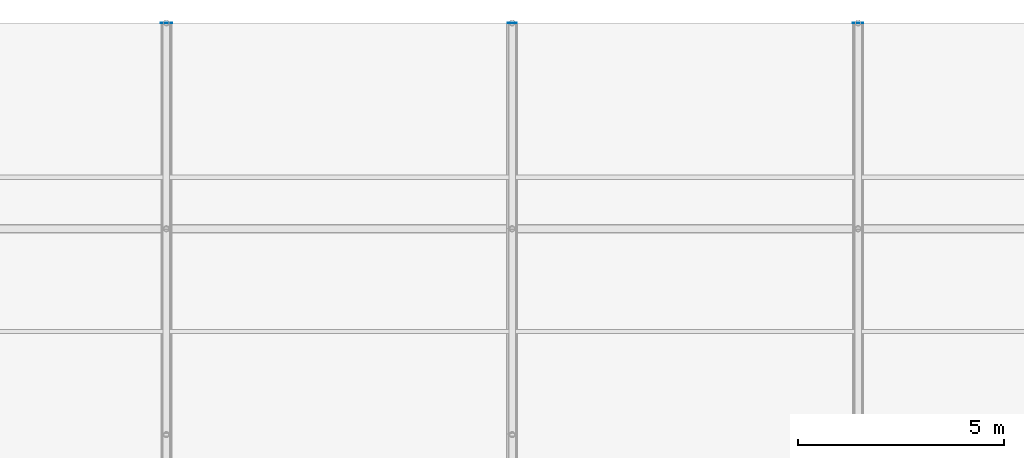
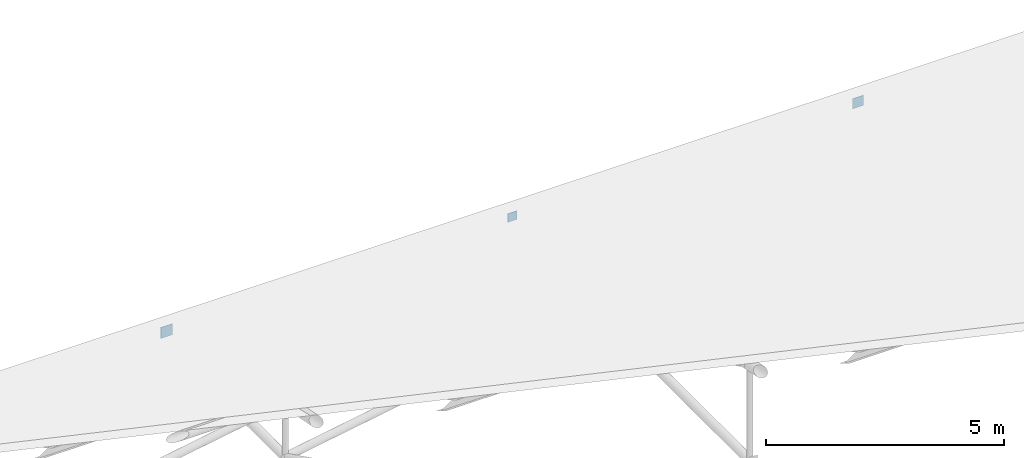
# One storey, part 188 of 194: 3 plates.
"""IFC4 building model written with IfcOpenShell, lengths in metres."""

from ifc_helpers import new_model, si_unit, direction, frame, origin, origin_2d, place, context, subcontext, project, spatial, rectangle, extrude, material, layer, layer_set, type_object, element, save


model = new_model("IFC4")

# Units and contexts
model_context = context("Model", 3, precision=1e-05, world=origin(), true_north=direction((0.0, 1.0)))
body_context = subcontext(model_context, "Body", "Model", "MODEL_VIEW")
ifc_project = project(units=[si_unit("LENGTHUNIT", "METRE"), si_unit("AREAUNIT", "SQUARE_METRE"), si_unit("VOLUMEUNIT", "CUBIC_METRE"), si_unit("PLANEANGLEUNIT", "RADIAN"), si_unit("MASSUNIT", "GRAM", prefix="KILO")], contexts=[model_context])

# Site, building, storey
site_placement = place(None, origin())
site = spatial("IfcSite", under=ifc_project, at=site_placement, CompositionType="ELEMENT")
building_placement = place(site_placement, origin())
building = spatial("IfcBuilding", under=site, at=building_placement, Name="Kazenagashi Tramway Depot", CompositionType="ELEMENT")
storey_placement = place(building_placement, frame((0.0, 0.0, 23.7)))
storey = spatial("IfcBuildingStorey", under=building, at=storey_placement, Name="ROOF", CompositionType="ELEMENT", Elevation=23.7)

# Plates
ifc_material_1 = material(Name="Steel STK490", Category="steel")
ifc_layer_1 = layer(ifc_material_1, 0.014)
ifc_layer_set_1 = layer_set([ifc_layer_1], Name="Steel STK490")
plate_type_1 = type_object("IfcPlateType", Name="EC-02", PredefinedType="USERDEFINED", material=ifc_layer_set_1)
plate_1_placement = place(storey_placement, frame((95.2, 130.0, -14.04), z_axis=(0.0, 0.0, 1.0), x_axis=(1.0, 0.0, 0.0)))
element("IfcPlate", 1, at=plate_1_placement, inside=storey, type_object=plate_type_1, Name="Structural Node Plate EC-02 PLT-0028", ObjectType="END CAP PLATE", PredefinedType="USERDEFINED", context=body_context, shape_type="SweptSolid", body=[
    extrude(rectangle(XDim=0.28, YDim=0.014, at=origin_2d()), origin(), (0.0, 0.0, 1.0), 0.28),
])
ifc_layer_2 = layer(ifc_material_1, 0.012)
ifc_layer_set_2 = layer_set([ifc_layer_2], Name="Steel STK490")
plate_type_2 = type_object("IfcPlateType", Name="EC-03", PredefinedType="USERDEFINED", material=ifc_layer_set_2)
plate_2_placement = place(storey_placement, frame((103.6, 130.0, -14.01), z_axis=(0.0, 0.0, 1.0), x_axis=(1.0, 0.0, 0.0)))
element("IfcPlate", 2, at=plate_2_placement, inside=storey, type_object=plate_type_2, Name="Structural Node Plate EC-03 PLT-0032", ObjectType="END CAP PLATE", PredefinedType="USERDEFINED", context=body_context, shape_type="SweptSolid", body=[
    extrude(rectangle(XDim=0.22, YDim=0.012, at=origin_2d()), origin(), (0.0, 0.0, 1.0), 0.22),
])
ifc_material_2 = material(Name="Weathering Steel SMA490W", Category="steel")
ifc_layer_3 = layer(ifc_material_2, 0.012)
ifc_layer_set_3 = layer_set([ifc_layer_3], Name="Weathering Steel SMA490W")
plate_type_3 = type_object("IfcPlateType", Name="EC-04", PredefinedType="USERDEFINED", material=ifc_layer_set_3)
plate_3_placement = place(storey_placement, frame((112.0, 130.0, -14.03), z_axis=(0.0, 0.0, 1.0), x_axis=(1.0, 0.0, 0.0)))
element("IfcPlate", 3, at=plate_3_placement, inside=storey, type_object=plate_type_3, Name="Structural Node Plate EC-04 PLT-0036", ObjectType="END CAP PLATE", PredefinedType="USERDEFINED", context=body_context, shape_type="SweptSolid", body=[
    extrude(rectangle(XDim=0.26, YDim=0.012, at=origin_2d()), origin(), (0.0, 0.0, 1.0), 0.26),
])

save(model, "model.ifc")
